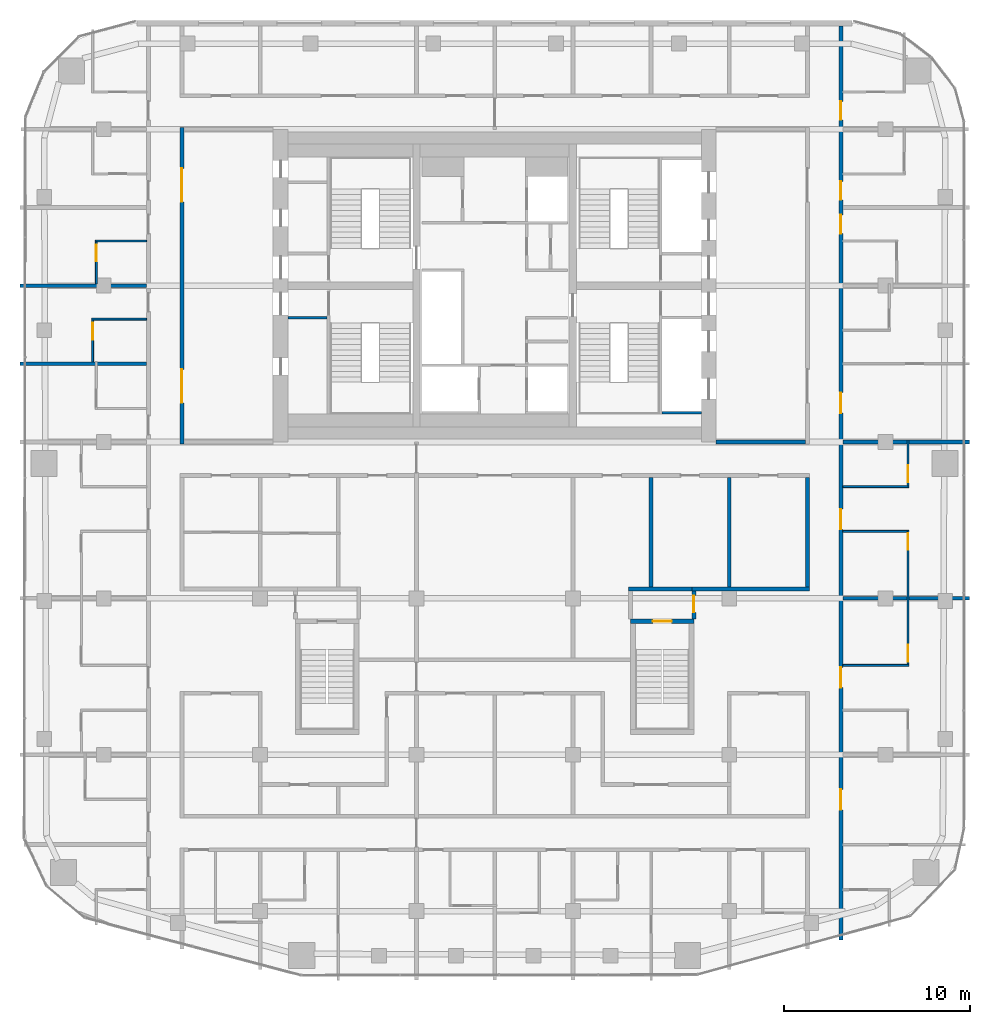
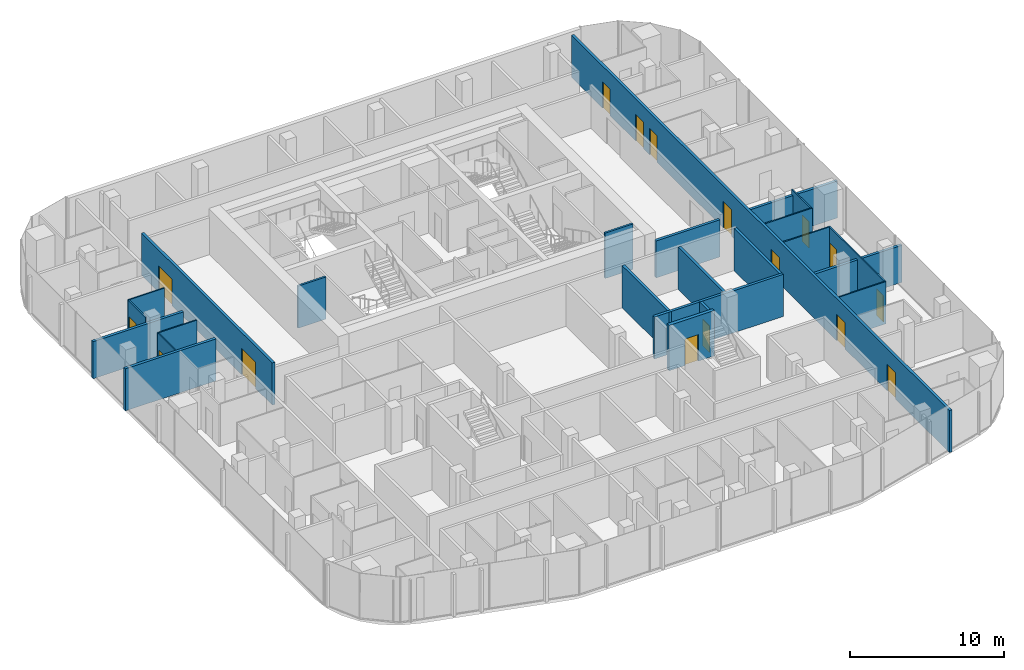
# One storey, part 17 of 22: 25 walls, 16 doors, 16 openings.
"""IFC4 building model written with IfcOpenShell, lengths in metres."""

from ifc_helpers import new_model, si_unit, direction, frame, frame_2d, origin, place, context, subcontext, project, spatial, rectangle, extrude, material, layer, layer_set, type_object, element, fill, save


model = new_model("IFC4")

# Units and contexts
model_context = context("Model", 3, precision=1e-05, world=origin(), true_north=direction((0.0, 1.0)))
body_context = subcontext(model_context, "Body", "Model", "MODEL_VIEW")
ifc_project = project(units=[si_unit("LENGTHUNIT", "METRE"), si_unit("AREAUNIT", "SQUARE_METRE"), si_unit("VOLUMEUNIT", "CUBIC_METRE"), si_unit("PLANEANGLEUNIT", "RADIAN"), si_unit("MASSUNIT", "GRAM", prefix="KILO")], contexts=[model_context])

# Site, building, storey
site_placement = place(None, origin())
site = spatial("IfcSite", under=ifc_project, at=site_placement, CompositionType="ELEMENT")
building_placement = place(site_placement, origin())
building = spatial("IfcBuilding", under=site, at=building_placement, Name="Marenta Gate Hotel Tower", CompositionType="ELEMENT")
storey_placement = place(building_placement, frame((0.0, 0.0, 230.89990234375)))
storey = spatial("IfcBuildingStorey", under=building, at=storey_placement, Name="L54", CompositionType="ELEMENT", Elevation=230.89990234375)

# Wall, openings, doors
ifc_material_1 = material(Name="Concrete blockwork", Category="masonry")
ifc_layer_1 = layer(ifc_material_1, 0.199951171875)
ifc_layer_set_1 = layer_set([ifc_layer_1], Name="Concrete blockwork")
wall_type_1 = type_object("IfcWallType", Name="Core boundary wall 200 REI 180", PredefinedType="PARTITIONING", material=ifc_layer_set_1)
wall_1_placement = place(storey_placement, frame((-16.800048828125, -0.10009765625, 0.0), z_axis=(0.0, 0.0, 1.0), x_axis=(0.0, 1.0, 0.0)))
wall_1 = element("IfcWall", 1, at=wall_1_placement, inside=storey, type_object=wall_type_1, Name="L54-CP-BW-W", PredefinedType="PARTITIONING", context=body_context, shape_type="SweptSolid", body=[
    extrude(rectangle(XDim=17.0, YDim=0.199951171875, at=frame_2d((8.5, 0.0))), origin(), (0.0, 0.0, 1.0), 3.340087890625),
])
opening_1_placement = place(wall_1_placement, frame((2.199951171875, 0.0, 0.0)))
opening_1 = element("IfcOpeningElement", 2, at=opening_1_placement, cuts=wall_1, Name="Opening ED-Wa-B", PredefinedType="OPENING", context=body_context, shape_type="SweptSolid", body=[
    extrude(rectangle(XDim=1.800048828125, YDim=2.10009765625, at=frame_2d((0.89990234375, 1.050048828125))), frame((0.0, 0.10009765625, 0.0), z_axis=(0.0, -1.0, 0.0), x_axis=(1.0, 0.0, 0.0)), (0.0, 0.0, 1.0), 0.199951171875),
])
opening_2_placement = place(wall_1_placement, frame((13.0, 0.0, 0.0)))
opening_2 = element("IfcOpeningElement", 3, at=opening_2_placement, cuts=wall_1, Name="Opening ED-Wb-B", PredefinedType="OPENING", context=body_context, shape_type="SweptSolid", body=[
    extrude(rectangle(XDim=1.800048828125, YDim=2.10009765625, at=frame_2d((0.89990234375, 1.050048828125))), frame((0.0, 0.10009765625, 0.0), z_axis=(0.0, -1.0, 0.0), x_axis=(1.0, 0.0, 0.0)), (0.0, 0.0, 1.0), 0.199951171875),
])
ifc_material_2 = material(Name="Steel", Category="steel")
door_type_1 = type_object("IfcDoorType", Name="Core lobby entrance door 1800x2100 EI 60", OperationType="DOUBLE_DOOR_SINGLE_SWING", PredefinedType="DOOR", material=ifc_material_2)
door_1_placement = place(opening_1_placement, origin())
door_1 = element("IfcDoor", 4, at=door_1_placement, inside=storey, type_object=door_type_1, Name="ED-Wa-B", OperationType="DOUBLE_DOOR_SINGLE_SWING", OverallHeight=2.10009765625, OverallWidth=1.800048828125, PredefinedType="DOOR", context=body_context, shape_type="SweptSolid", body=[
    extrude(rectangle(XDim=1.800048828125, YDim=2.10009765625, at=frame_2d((0.89990234375, 1.050048828125))), frame((0.0, 0.02490234375, 0.0), z_axis=(0.0, -1.0, 0.0), x_axis=(1.0, 0.0, 0.0)), (0.0, 0.0, 1.0), 0.050048828125),
])
fill(opening_1, door_1)
door_2_placement = place(opening_2_placement, origin())
door_2 = element("IfcDoor", 5, at=door_2_placement, inside=storey, type_object=door_type_1, Name="ED-Wb-B", OperationType="DOUBLE_DOOR_SINGLE_SWING", OverallHeight=2.10009765625, OverallWidth=1.800048828125, PredefinedType="DOOR", context=body_context, shape_type="SweptSolid", body=[
    extrude(rectangle(XDim=1.800048828125, YDim=2.10009765625, at=frame_2d((0.89990234375, 1.050048828125))), frame((0.0, 0.02490234375, 0.0), z_axis=(0.0, -1.0, 0.0), x_axis=(1.0, 0.0, 0.0)), (0.0, 0.0, 1.0), 0.050048828125),
])
fill(opening_2, door_2)

# Walls
wall_2_placement = place(storey_placement, frame((11.89990234375, 0.0, 0.0), z_axis=(0.0, 0.0, 1.0), x_axis=(1.0, 0.0, 0.0)))
element("IfcWall", 6, at=wall_2_placement, inside=storey, type_object=wall_type_1, Name="L54-CP-EW-ES", PredefinedType="PARTITIONING", context=body_context, shape_type="SweptSolid", body=[
    extrude(rectangle(XDim=4.800048828125, YDim=0.199951171875, at=frame_2d((2.39990234375, 0.0))), origin(), (0.0, 0.0, 1.0), 2.940185546875),
])
ifc_material_3 = material(Name="Concrete blockwork", Category="masonry")
ifc_layer_2 = layer(ifc_material_3, 0.14990234375)
ifc_layer_set_2 = layer_set([ifc_layer_2], Name="Concrete blockwork")
wall_type_2 = type_object("IfcWallType", Name="Core room partition 150 REI 180", PredefinedType="PARTITIONING", material=ifc_layer_set_2)
wall_3_placement = place(storey_placement, frame((-11.10009765625, 6.675048828125, 0.0), z_axis=(0.0, 0.0, 1.0), x_axis=(1.0, 0.0, 0.0)))
element("IfcWall", 7, at=wall_3_placement, inside=storey, type_object=wall_type_2, Name="L54-CP-SW-WS-2", PredefinedType="PARTITIONING", context=body_context, shape_type="SweptSolid", body=[
    extrude(rectangle(XDim=2.10009765625, YDim=0.14990234375, at=frame_2d((1.050048828125, 0.0))), origin(), (0.0, 0.0, 1.0), 3.340087890625),
])
ifc_material_4 = material(Name="Concrete C40", Category="concrete")
ifc_layer_3 = layer(ifc_material_4, 0.14990234375)
ifc_layer_set_3 = layer_set([ifc_layer_3], Name="Concrete C40")
wall_type_3 = type_object("IfcWallType", Name="Core shaft wall 150 REI 180", PredefinedType="SHEAR", material=ifc_layer_set_3)
wall_4_placement = place(storey_placement, frame((9.0, 1.574951171875, 0.0), z_axis=(0.0, 0.0, 1.0), x_axis=(1.0, 0.0, 0.0)))
element("IfcWall", 8, at=wall_4_placement, inside=storey, type_object=wall_type_3, Name="L54-SHF-SW-ES-5", PredefinedType="SHEAR", context=body_context, shape_type="SweptSolid", body=[
    extrude(rectangle(XDim=2.10009765625, YDim=0.14990234375, at=frame_2d((1.050048828125, 0.0))), origin(), (0.0, 0.0, 1.0), 3.60009765625),
])

# Wall, opening, door
ifc_material_5 = material(Name="Concrete C40", Category="concrete")
ifc_layer_4 = layer(ifc_material_5, 0.25)
ifc_layer_set_4 = layer_set([ifc_layer_4], Name="Concrete C40")
wall_type_4 = type_object("IfcWallType", Name="Remote stair enclosure wall 250 REI 180", PredefinedType="SHEAR", material=ifc_layer_set_4)
wall_5_placement = place(storey_placement, frame((7.300048828125, -9.625, 0.10009765625), z_axis=(0.0, 0.0, 1.0), x_axis=(1.0, 0.0, 0.0)))
wall_5 = element("IfcWall", 9, at=wall_5_placement, inside=storey, type_object=wall_type_4, Name="L54-RS-Z3-2-W2", PredefinedType="SHEAR", context=body_context, shape_type="SweptSolid", body=[
    extrude(rectangle(XDim=3.39990234375, YDim=0.25, at=frame_2d((1.699951171875, 0.0))), origin(), (0.0, 0.0, 1.0), 3.60009765625),
])
opening_3_placement = place(wall_5_placement, frame((1.199951171875, 0.0, 0.0)))
opening_3 = element("IfcOpeningElement", 10, at=opening_3_placement, cuts=wall_5, Name="Opening VD", PredefinedType="OPENING", context=body_context, shape_type="SweptSolid", body=[
    extrude(rectangle(XDim=1.0, YDim=2.10009765625, at=frame_2d((0.5, 1.050048828125))), frame((0.0, 0.125, 0.0), z_axis=(0.0, -1.0, 0.0), x_axis=(1.0, 0.0, 0.0)), (0.0, 0.0, 1.0), 0.25),
])
ifc_material_6 = material(Name="Steel", Category="steel")
door_type_2 = type_object("IfcDoorType", Name="Stair vestibule door 1000x2100 FD60", OperationType="SINGLE_SWING_LEFT", PredefinedType="DOOR", material=ifc_material_6)
door_3_placement = place(opening_3_placement, origin())
door_3 = element("IfcDoor", 11, at=door_3_placement, inside=storey, type_object=door_type_2, Name="VD", OperationType="SINGLE_SWING_LEFT", OverallHeight=2.10009765625, OverallWidth=1.0, PredefinedType="DOOR", context=body_context, shape_type="SweptSolid", body=[
    extrude(rectangle(XDim=1.0, YDim=2.10009765625, at=frame_2d((0.5, 1.050048828125))), frame((0.0, 0.02490234375, 0.0), z_axis=(0.0, -1.0, 0.0), x_axis=(1.0, 0.0, 0.0)), (0.0, 0.0, 1.0), 0.050048828125),
])
fill(opening_3, door_3)

# Wall, openings, doors
ifc_material_7 = material(Name="Gypsum board on steel stud", Category="steel")
ifc_layer_5 = layer(ifc_material_7, 0.199951171875)
ifc_layer_set_5 = layer_set([ifc_layer_5], Name="Gypsum board on steel stud")
wall_type_5 = type_object("IfcWallType", Name="Room corridor wall 200 EI 60", PredefinedType="PARTITIONING", material=ifc_layer_set_5)
wall_6_placement = place(storey_placement, frame((18.60009765625, -26.7509765625, 0.0), z_axis=(0.0, 0.0, 1.0), x_axis=(0.0, 1.0, 0.0)))
wall_6 = element("IfcWall", 12, at=wall_6_placement, inside=storey, type_object=wall_type_5, Name="L54-PTN-W023", PredefinedType="PARTITIONING", context=body_context, shape_type="SweptSolid", body=[
    extrude(rectangle(XDim=49.091064453125, YDim=0.199951171875, at=frame_2d((24.54541015625, 0.0))), origin(), (0.0, 0.0, 1.0), 3.340087890625),
])
opening_4_placement = place(wall_6_placement, frame((6.988037109375, 0.0, 0.0)))
opening_4 = element("IfcOpeningElement", 13, at=opening_4_placement, cuts=wall_6, Name="Opening G20-17", PredefinedType="OPENING", context=body_context, shape_type="SweptSolid", body=[
    extrude(rectangle(XDim=1.10009765625, YDim=2.10009765625, at=frame_2d((0.550048828125, 1.050048828125))), frame((0.0, 0.10009765625, 0.0), z_axis=(0.0, -1.0, 0.0), x_axis=(1.0, 0.0, 0.0)), (0.0, 0.0, 1.0), 0.199951171875),
])
opening_5_placement = place(wall_6_placement, frame((13.551025390625, 0.0, 0.0)))
opening_5 = element("IfcOpeningElement", 14, at=opening_5_placement, cuts=wall_6, Name="Opening G20-20", PredefinedType="OPENING", context=body_context, shape_type="SweptSolid", body=[
    extrude(rectangle(XDim=1.10009765625, YDim=2.10009765625, at=frame_2d((0.550048828125, 1.050048828125))), frame((0.0, 0.10009765625, 0.0), z_axis=(0.0, -1.0, 0.0), x_axis=(1.0, 0.0, 0.0)), (0.0, 0.0, 1.0), 0.199951171875),
])
opening_6_placement = place(wall_6_placement, frame((22.051025390625, 0.0, 0.0)))
opening_6 = element("IfcOpeningElement", 15, at=opening_6_placement, cuts=wall_6, Name="Opening G20-23", PredefinedType="OPENING", context=body_context, shape_type="SweptSolid", body=[
    extrude(rectangle(XDim=1.10009765625, YDim=2.10009765625, at=frame_2d((0.550048828125, 1.050048828125))), frame((0.0, 0.10009765625, 0.0), z_axis=(0.0, -1.0, 0.0), x_axis=(1.0, 0.0, 0.0)), (0.0, 0.0, 1.0), 0.199951171875),
])
opening_7_placement = place(wall_6_placement, frame((28.301025390625, 0.0, 0.0)))
opening_7 = element("IfcOpeningElement", 16, at=opening_7_placement, cuts=wall_6, Name="Opening G20-26", PredefinedType="OPENING", context=body_context, shape_type="SweptSolid", body=[
    extrude(rectangle(XDim=1.10009765625, YDim=2.10009765625, at=frame_2d((0.550048828125, 1.050048828125))), frame((0.0, 0.10009765625, 0.0), z_axis=(0.0, -1.0, 0.0), x_axis=(1.0, 0.0, 0.0)), (0.0, 0.0, 1.0), 0.199951171875),
])
opening_8_placement = place(wall_6_placement, frame((37.950927734375, 0.0, 0.0)))
opening_8 = element("IfcOpeningElement", 17, at=opening_8_placement, cuts=wall_6, Name="Opening G20-29", PredefinedType="OPENING", context=body_context, shape_type="SweptSolid", body=[
    extrude(rectangle(XDim=1.0, YDim=2.10009765625, at=frame_2d((0.5, 1.050048828125))), frame((0.0, 0.10009765625, 0.0), z_axis=(0.0, -1.0, 0.0), x_axis=(1.0, 0.0, 0.0)), (0.0, 0.0, 1.0), 0.199951171875),
])
opening_9_placement = place(wall_6_placement, frame((39.7509765625, 0.0, 0.0)))
opening_9 = element("IfcOpeningElement", 18, at=opening_9_placement, cuts=wall_6, Name="Opening G20-31", PredefinedType="OPENING", context=body_context, shape_type="SweptSolid", body=[
    extrude(rectangle(XDim=1.0, YDim=2.10009765625, at=frame_2d((0.5, 1.050048828125))), frame((0.0, 0.10009765625, 0.0), z_axis=(0.0, -1.0, 0.0), x_axis=(1.0, 0.0, 0.0)), (0.0, 0.0, 1.0), 0.199951171875),
])
opening_10_placement = place(wall_6_placement, frame((44.051025390625, 0.0, 0.0)))
opening_10 = element("IfcOpeningElement", 19, at=opening_10_placement, cuts=wall_6, Name="Opening G20-33", PredefinedType="OPENING", context=body_context, shape_type="SweptSolid", body=[
    extrude(rectangle(XDim=1.0, YDim=2.10009765625, at=frame_2d((0.5, 1.050048828125))), frame((0.0, 0.10009765625, 0.0), z_axis=(0.0, -1.0, 0.0), x_axis=(1.0, 0.0, 0.0)), (0.0, 0.0, 1.0), 0.199951171875),
])
ifc_material_8 = material(Name="Timber door leaf", Category="wood")
door_type_3 = type_object("IfcDoorType", Name="Guest room door 1000x2100 EI 30", OperationType="NOTDEFINED", PredefinedType="DOOR", material=ifc_material_8)
door_4_placement = place(opening_8_placement, origin())
door_4 = element("IfcDoor", 20, at=door_4_placement, inside=storey, type_object=door_type_3, Name="L54-PD-D029", OperationType="SINGLE_SWING_LEFT", OverallHeight=2.10009765625, OverallWidth=1.0, PredefinedType="DOOR", context=body_context, shape_type="SweptSolid", body=[
    extrude(rectangle(XDim=1.0, YDim=2.10009765625, at=frame_2d((0.5, 1.050048828125))), frame((0.0, 0.02490234375, 0.0), z_axis=(0.0, -1.0, 0.0), x_axis=(1.0, 0.0, 0.0)), (0.0, 0.0, 1.0), 0.050048828125),
])
fill(opening_8, door_4)
door_5_placement = place(opening_9_placement, origin())
door_5 = element("IfcDoor", 21, at=door_5_placement, inside=storey, type_object=door_type_3, Name="L54-PD-D031", OperationType="SINGLE_SWING_LEFT", OverallHeight=2.10009765625, OverallWidth=1.0, PredefinedType="DOOR", context=body_context, shape_type="SweptSolid", body=[
    extrude(rectangle(XDim=1.0, YDim=2.10009765625, at=frame_2d((0.5, 1.050048828125))), frame((0.0, 0.02490234375, 0.0), z_axis=(0.0, -1.0, 0.0), x_axis=(1.0, 0.0, 0.0)), (0.0, 0.0, 1.0), 0.050048828125),
])
fill(opening_9, door_5)
door_6_placement = place(opening_10_placement, origin())
door_6 = element("IfcDoor", 22, at=door_6_placement, inside=storey, type_object=door_type_3, Name="L54-PD-D033", OperationType="SINGLE_SWING_LEFT", OverallHeight=2.10009765625, OverallWidth=1.0, PredefinedType="DOOR", context=body_context, shape_type="SweptSolid", body=[
    extrude(rectangle(XDim=1.0, YDim=2.10009765625, at=frame_2d((0.5, 1.050048828125))), frame((0.0, 0.02490234375, 0.0), z_axis=(0.0, -1.0, 0.0), x_axis=(1.0, 0.0, 0.0)), (0.0, 0.0, 1.0), 0.050048828125),
])
fill(opening_10, door_6)
ifc_material_9 = material(Name="Timber door leaf", Category="wood")
door_type_4 = type_object("IfcDoorType", Name="Guest room door 1100x2100 EI 30", OperationType="NOTDEFINED", PredefinedType="DOOR", material=ifc_material_9)
door_7_placement = place(opening_4_placement, origin())
door_7 = element("IfcDoor", 23, at=door_7_placement, inside=storey, type_object=door_type_4, Name="L54-PD-D017", OperationType="SINGLE_SWING_LEFT", OverallHeight=2.10009765625, OverallWidth=1.10009765625, PredefinedType="DOOR", context=body_context, shape_type="SweptSolid", body=[
    extrude(rectangle(XDim=1.10009765625, YDim=2.10009765625, at=frame_2d((0.550048828125, 1.050048828125))), frame((0.0, 0.02490234375, 0.0), z_axis=(0.0, -1.0, 0.0), x_axis=(1.0, 0.0, 0.0)), (0.0, 0.0, 1.0), 0.050048828125),
])
fill(opening_4, door_7)
door_8_placement = place(opening_5_placement, origin())
door_8 = element("IfcDoor", 24, at=door_8_placement, inside=storey, type_object=door_type_4, Name="L54-PD-D020", OperationType="SINGLE_SWING_LEFT", OverallHeight=2.10009765625, OverallWidth=1.10009765625, PredefinedType="DOOR", context=body_context, shape_type="SweptSolid", body=[
    extrude(rectangle(XDim=1.10009765625, YDim=2.10009765625, at=frame_2d((0.550048828125, 1.050048828125))), frame((0.0, 0.02490234375, 0.0), z_axis=(0.0, -1.0, 0.0), x_axis=(1.0, 0.0, 0.0)), (0.0, 0.0, 1.0), 0.050048828125),
])
fill(opening_5, door_8)
door_9_placement = place(opening_6_placement, origin())
door_9 = element("IfcDoor", 25, at=door_9_placement, inside=storey, type_object=door_type_4, Name="L54-PD-D023", OperationType="SINGLE_SWING_RIGHT", OverallHeight=2.10009765625, OverallWidth=1.10009765625, PredefinedType="DOOR", context=body_context, shape_type="SweptSolid", body=[
    extrude(rectangle(XDim=1.10009765625, YDim=2.10009765625, at=frame_2d((0.550048828125, 1.050048828125))), frame((0.0, 0.02490234375, 0.0), z_axis=(0.0, -1.0, 0.0), x_axis=(1.0, 0.0, 0.0)), (0.0, 0.0, 1.0), 0.050048828125),
])
fill(opening_6, door_9)
door_10_placement = place(opening_7_placement, origin())
door_10 = element("IfcDoor", 26, at=door_10_placement, inside=storey, type_object=door_type_4, Name="L54-PD-D026", OperationType="SINGLE_SWING_RIGHT", OverallHeight=2.10009765625, OverallWidth=1.10009765625, PredefinedType="DOOR", context=body_context, shape_type="SweptSolid", body=[
    extrude(rectangle(XDim=1.10009765625, YDim=2.10009765625, at=frame_2d((0.550048828125, 1.050048828125))), frame((0.0, 0.02490234375, 0.0), z_axis=(0.0, -1.0, 0.0), x_axis=(1.0, 0.0, 0.0)), (0.0, 0.0, 1.0), 0.050048828125),
])
fill(opening_7, door_10)

# Walls
wall_7_placement = place(storey_placement, frame((16.800048828125, -7.800048828125, 0.0), z_axis=(0.0, 0.0, 1.0), x_axis=(0.0, 1.0, 0.0)))
element("IfcWall", 27, at=wall_7_placement, inside=storey, type_object=wall_type_5, Name="L54-PTN-W028", PredefinedType="PARTITIONING", context=body_context, shape_type="SweptSolid", body=[
    extrude(rectangle(XDim=5.900146484375, YDim=0.199951171875, at=frame_2d((2.9501953125, 0.0))), origin(), (0.0, 0.0, 1.0), 3.340087890625),
])
wall_8_placement = place(storey_placement, frame((10.60009765625, -7.89990234375, 0.0), z_axis=(0.0, 0.0, 1.0), x_axis=(1.0, 0.0, 0.0)))
element("IfcWall", 28, at=wall_8_placement, inside=storey, type_object=wall_type_5, Name="L54-PTN-W053", PredefinedType="PARTITIONING", context=body_context, shape_type="SweptSolid", body=[
    extrude(rectangle(XDim=6.2998046875, YDim=0.199951171875, at=frame_2d((3.14990234375, 0.0))), origin(), (0.0, 0.0, 1.0), 3.340087890625),
])

# Wall, opening, door
ifc_material_10 = material(Name="Concrete blockwork", Category="masonry")
ifc_layer_6 = layer(ifc_material_10, 0.199951171875)
ifc_layer_set_6 = layer_set([ifc_layer_6], Name="Concrete blockwork")
wall_type_6 = type_object("IfcWallType", Name="Room corridor wall 200 REI 180", PredefinedType="PARTITIONING", material=ifc_layer_set_6)
wall_9_placement = place(storey_placement, frame((10.699951171875, -9.5, 0.0), z_axis=(0.0, 0.0, 1.0), x_axis=(0.0, 1.0, 0.0)))
wall_9 = element("IfcWall", 29, at=wall_9_placement, inside=storey, type_object=wall_type_6, Name="L54-PTN-W046", PredefinedType="PARTITIONING", context=body_context, shape_type="SweptSolid", body=[
    extrude(rectangle(XDim=1.5, YDim=0.199951171875, at=frame_2d((0.75, 0.0))), origin(), (0.0, 0.0, 1.0), 3.340087890625),
])
opening_11_placement = place(wall_9_placement, frame((0.35009765625, 0.0, 0.0)))
opening_11 = element("IfcOpeningElement", 30, at=opening_11_placement, cuts=wall_9, Name="Opening G20-73", PredefinedType="OPENING", context=body_context, shape_type="SweptSolid", body=[
    extrude(rectangle(XDim=0.89990234375, YDim=2.10009765625, at=frame_2d((0.449951171875, 1.050048828125))), frame((0.0, 0.10009765625, 0.0), z_axis=(0.0, -1.0, 0.0), x_axis=(1.0, 0.0, 0.0)), (0.0, 0.0, 1.0), 0.199951171875),
])
ifc_material_11 = material(Name="Hollow steel door set", Category="steel")
door_type_5 = type_object("IfcDoorType", Name="Stair vestibule door 900x2100 EI 60", OperationType="NOTDEFINED", PredefinedType="DOOR", material=ifc_material_11)
door_11_placement = place(opening_11_placement, origin())
door_11 = element("IfcDoor", 31, at=door_11_placement, inside=storey, type_object=door_type_5, Name="L54-PD-D073", OperationType="SINGLE_SWING_RIGHT", OverallHeight=2.10009765625, OverallWidth=0.89990234375, PredefinedType="DOOR", context=body_context, shape_type="SweptSolid", body=[
    extrude(rectangle(XDim=0.89990234375, YDim=2.10009765625, at=frame_2d((0.449951171875, 1.050048828125))), frame((0.0, 0.02490234375, 0.0), z_axis=(0.0, -1.0, 0.0), x_axis=(1.0, 0.0, 0.0)), (0.0, 0.0, 1.0), 0.050048828125),
])
fill(opening_11, door_11)

# Wall, openings, doors
ifc_material_12 = material(Name="Gypsum board on steel stud", Category="steel")
ifc_layer_7 = layer(ifc_material_12, 0.10009765625)
ifc_layer_set_7 = layer_set([ifc_layer_7], Name="Gypsum board on steel stud")
wall_type_7 = type_object("IfcWallType", Name="Room partition 100", PredefinedType="PARTITIONING", material=ifc_layer_set_7)
wall_10_placement = place(storey_placement, frame((22.199951171875, -11.949951171875, 0.0), z_axis=(0.0, 0.0, 1.0), x_axis=(0.0, 1.0, 0.0)))
wall_10 = element("IfcWall", 32, at=wall_10_placement, inside=storey, type_object=wall_type_7, Name="L54-PTN-W011", PredefinedType="PARTITIONING", context=body_context, shape_type="SweptSolid", body=[
    extrude(rectangle(XDim=7.199951171875, YDim=0.10009765625, at=frame_2d((3.60009765625, 0.0))), origin(), (0.0, 0.0, 1.0), 3.340087890625),
])
opening_12_placement = place(wall_10_placement, frame((0.14990234375, 0.0, 0.0)))
opening_12 = element("IfcOpeningElement", 33, at=opening_12_placement, cuts=wall_10, Name="Opening G20-21", PredefinedType="OPENING", context=body_context, shape_type="SweptSolid", body=[
    extrude(rectangle(XDim=0.89990234375, YDim=2.10009765625, at=frame_2d((0.449951171875, 1.050048828125))), frame((0.0, 0.050048828125, 0.0), z_axis=(0.0, -1.0, 0.0), x_axis=(1.0, 0.0, 0.0)), (0.0, 0.0, 1.0), 0.10009765625),
])
opening_13_placement = place(wall_10_placement, frame((6.14990234375, 0.0, 0.0)))
opening_13 = element("IfcOpeningElement", 34, at=opening_13_placement, cuts=wall_10, Name="Opening G20-24", PredefinedType="OPENING", context=body_context, shape_type="SweptSolid", body=[
    extrude(rectangle(XDim=0.89990234375, YDim=2.10009765625, at=frame_2d((0.449951171875, 1.050048828125))), frame((0.0, 0.050048828125, 0.0), z_axis=(0.0, -1.0, 0.0), x_axis=(1.0, 0.0, 0.0)), (0.0, 0.0, 1.0), 0.10009765625),
])
ifc_material_13 = material(Name="Timber door leaf", Category="wood")
door_type_6 = type_object("IfcDoorType", Name="Guest bathroom door 900x2100", OperationType="NOTDEFINED", PredefinedType="DOOR", material=ifc_material_13)
door_12_placement = place(opening_12_placement, origin())
door_12 = element("IfcDoor", 35, at=door_12_placement, inside=storey, type_object=door_type_6, Name="L54-PD-D021", OperationType="SINGLE_SWING_LEFT", OverallHeight=2.10009765625, OverallWidth=0.89990234375, PredefinedType="DOOR", context=body_context, shape_type="SweptSolid", body=[
    extrude(rectangle(XDim=0.89990234375, YDim=2.10009765625, at=frame_2d((0.449951171875, 1.050048828125))), frame((0.0, 0.02490234375, 0.0), z_axis=(0.0, -1.0, 0.0), x_axis=(1.0, 0.0, 0.0)), (0.0, 0.0, 1.0), 0.050048828125),
])
fill(opening_12, door_12)
door_13_placement = place(opening_13_placement, origin())
door_13 = element("IfcDoor", 36, at=door_13_placement, inside=storey, type_object=door_type_6, Name="L54-PD-D024", OperationType="SINGLE_SWING_RIGHT", OverallHeight=2.10009765625, OverallWidth=0.89990234375, PredefinedType="DOOR", context=body_context, shape_type="SweptSolid", body=[
    extrude(rectangle(XDim=0.89990234375, YDim=2.10009765625, at=frame_2d((0.449951171875, 1.050048828125))), frame((0.0, 0.02490234375, 0.0), z_axis=(0.0, -1.0, 0.0), x_axis=(1.0, 0.0, 0.0)), (0.0, 0.0, 1.0), 0.050048828125),
])
fill(opening_13, door_13)

# Wall, opening, door
wall_11_placement = place(storey_placement, frame((22.199951171875, -2.35009765625, 0.0), z_axis=(0.0, 0.0, 1.0), x_axis=(0.0, 1.0, 0.0)))
wall_11 = element("IfcWall", 37, at=wall_11_placement, inside=storey, type_object=wall_type_7, Name="L54-PTN-W012", PredefinedType="PARTITIONING", context=body_context, shape_type="SweptSolid", body=[
    extrude(rectangle(XDim=2.4501953125, YDim=0.10009765625, at=frame_2d((1.22509765625, 0.0))), origin(), (0.0, 0.0, 1.0), 3.340087890625),
])
opening_14_placement = place(wall_11_placement, frame((0.199951171875, 0.0, 0.0)))
opening_14 = element("IfcOpeningElement", 38, at=opening_14_placement, cuts=wall_11, Name="Opening G20-25", PredefinedType="OPENING", context=body_context, shape_type="SweptSolid", body=[
    extrude(rectangle(XDim=0.89990234375, YDim=2.10009765625, at=frame_2d((0.449951171875, 1.050048828125))), frame((0.0, 0.050048828125, 0.0), z_axis=(0.0, -1.0, 0.0), x_axis=(1.0, 0.0, 0.0)), (0.0, 0.0, 1.0), 0.10009765625),
])
ifc_material_14 = material(Name="Timber door leaf", Category="wood")
door_type_7 = type_object("IfcDoorType", Name="Room inner door 900x2100", OperationType="NOTDEFINED", PredefinedType="DOOR", material=ifc_material_14)
door_14_placement = place(opening_14_placement, origin())
door_14 = element("IfcDoor", 39, at=door_14_placement, inside=storey, type_object=door_type_7, Name="L54-PD-D025", OperationType="SINGLE_SWING_LEFT", OverallHeight=2.10009765625, OverallWidth=0.89990234375, PredefinedType="DOOR", context=body_context, shape_type="SweptSolid", body=[
    extrude(rectangle(XDim=0.89990234375, YDim=2.10009765625, at=frame_2d((0.449951171875, 1.050048828125))), frame((0.0, 0.02490234375, 0.0), z_axis=(0.0, -1.0, 0.0), x_axis=(1.0, 0.0, 0.0)), (0.0, 0.0, 1.0), 0.050048828125),
])
fill(opening_14, door_14)

# Walls
wall_12_placement = place(storey_placement, frame((18.699951171875, -12.0, 0.0), z_axis=(0.0, 0.0, 1.0), x_axis=(1.0, 0.0, 0.0)))
element("IfcWall", 40, at=wall_12_placement, inside=storey, type_object=wall_type_7, Name="L54-PTN-W044", PredefinedType="PARTITIONING", context=body_context, shape_type="SweptSolid", body=[
    extrude(rectangle(XDim=3.550048828125, YDim=0.10009765625, at=frame_2d((1.77490234375, 0.0))), origin(), (0.0, 0.0, 1.0), 3.340087890625),
])
wall_13_placement = place(storey_placement, frame((18.699951171875, -4.800048828125, 0.0), z_axis=(0.0, 0.0, 1.0), x_axis=(1.0, 0.0, 0.0)))
element("IfcWall", 41, at=wall_13_placement, inside=storey, type_object=wall_type_7, Name="L54-PTN-W062", PredefinedType="PARTITIONING", context=body_context, shape_type="SweptSolid", body=[
    extrude(rectangle(XDim=3.449951171875, YDim=0.10009765625, at=frame_2d((1.72509765625, 0.0))), origin(), (0.0, 0.0, 1.0), 3.340087890625),
])
wall_14_placement = place(storey_placement, frame((18.699951171875, -2.39990234375, 0.0), z_axis=(0.0, 0.0, 1.0), x_axis=(1.0, 0.0, 0.0)))
element("IfcWall", 42, at=wall_14_placement, inside=storey, type_object=wall_type_7, Name="L54-PTN-W069", PredefinedType="PARTITIONING", context=body_context, shape_type="SweptSolid", body=[
    extrude(rectangle(XDim=3.550048828125, YDim=0.10009765625, at=frame_2d((1.77490234375, 0.0))), origin(), (0.0, 0.0, 1.0), 3.340087890625),
])
wall_15_placement = place(storey_placement, frame((-21.64990234375, 6.60009765625, 0.0), z_axis=(0.0, 0.0, 1.0), x_axis=(1.0, 0.0, 0.0)))
element("IfcWall", 43, at=wall_15_placement, inside=storey, type_object=wall_type_7, Name="L54-PTN-W086", PredefinedType="PARTITIONING", context=body_context, shape_type="SweptSolid", body=[
    extrude(rectangle(XDim=2.949951171875, YDim=0.10009765625, at=frame_2d((1.47509765625, 0.0))), origin(), (0.0, 0.0, 1.0), 3.340087890625),
])
wall_16_placement = place(storey_placement, frame((-21.449951171875, 10.800048828125, 0.0), z_axis=(0.0, 0.0, 1.0), x_axis=(1.0, 0.0, 0.0)))
element("IfcWall", 44, at=wall_16_placement, inside=storey, type_object=wall_type_7, Name="L54-PTN-W095", PredefinedType="PARTITIONING", context=body_context, shape_type="SweptSolid", body=[
    extrude(rectangle(XDim=2.75, YDim=0.10009765625, at=frame_2d((1.375, 0.0))), origin(), (0.0, 0.0, 1.0), 3.340087890625),
])

# Wall, opening, door
wall_17_placement = place(storey_placement, frame((-21.39990234375, 8.5, 0.0), z_axis=(0.0, 0.0, 1.0), x_axis=(0.0, 1.0, 0.0)))
wall_17 = element("IfcWall", 45, at=wall_17_placement, inside=storey, type_object=wall_type_7, Name="L54-PTN-W119", PredefinedType="PARTITIONING", context=body_context, shape_type="SweptSolid", body=[
    extrude(rectangle(XDim=2.25, YDim=0.10009765625, at=frame_2d((1.125, 0.0))), origin(), (0.0, 0.0, 1.0), 3.340087890625),
])
opening_15_placement = place(wall_17_placement, frame((1.199951171875, 0.0, 0.0)))
opening_15 = element("IfcOpeningElement", 46, at=opening_15_placement, cuts=wall_17, Name="Opening G20-67", PredefinedType="OPENING", context=body_context, shape_type="SweptSolid", body=[
    extrude(rectangle(XDim=0.89990234375, YDim=2.10009765625, at=frame_2d((0.449951171875, 1.050048828125))), frame((0.0, 0.050048828125, 0.0), z_axis=(0.0, -1.0, 0.0), x_axis=(1.0, 0.0, 0.0)), (0.0, 0.0, 1.0), 0.10009765625),
])
door_15_placement = place(opening_15_placement, origin())
door_15 = element("IfcDoor", 47, at=door_15_placement, inside=storey, type_object=door_type_6, Name="L54-PD-D067", OperationType="SINGLE_SWING_LEFT", OverallHeight=2.10009765625, OverallWidth=0.89990234375, PredefinedType="DOOR", context=body_context, shape_type="SweptSolid", body=[
    extrude(rectangle(XDim=0.89990234375, YDim=2.10009765625, at=frame_2d((0.449951171875, 1.050048828125))), frame((0.0, 0.02490234375, 0.0), z_axis=(0.0, -1.0, 0.0), x_axis=(1.0, 0.0, 0.0)), (0.0, 0.0, 1.0), 0.050048828125),
])
fill(opening_15, door_15)

wall_18_placement = place(storey_placement, frame((-21.60009765625, 4.300048828125, 0.0), z_axis=(0.0, 0.0, 1.0), x_axis=(0.0, 1.0, 0.0)))
wall_18 = element("IfcWall", 48, at=wall_18_placement, inside=storey, type_object=wall_type_7, Name="L54-PTN-W120", PredefinedType="PARTITIONING", context=body_context, shape_type="SweptSolid", body=[
    extrude(rectangle(XDim=2.25, YDim=0.10009765625, at=frame_2d((1.125, 0.0))), origin(), (0.0, 0.0, 1.0), 3.340087890625),
])
opening_16_placement = place(wall_18_placement, frame((1.199951171875, 0.0, 0.0)))
opening_16 = element("IfcOpeningElement", 49, at=opening_16_placement, cuts=wall_18, Name="Opening G20-65", PredefinedType="OPENING", context=body_context, shape_type="SweptSolid", body=[
    extrude(rectangle(XDim=0.89990234375, YDim=2.10009765625, at=frame_2d((0.449951171875, 1.050048828125))), frame((0.0, 0.050048828125, 0.0), z_axis=(0.0, -1.0, 0.0), x_axis=(1.0, 0.0, 0.0)), (0.0, 0.0, 1.0), 0.10009765625),
])
door_16_placement = place(opening_16_placement, origin())
door_16 = element("IfcDoor", 50, at=door_16_placement, inside=storey, type_object=door_type_6, Name="L54-PD-D065", OperationType="SINGLE_SWING_LEFT", OverallHeight=2.10009765625, OverallWidth=0.89990234375, PredefinedType="DOOR", context=body_context, shape_type="SweptSolid", body=[
    extrude(rectangle(XDim=0.89990234375, YDim=2.10009765625, at=frame_2d((0.449951171875, 1.050048828125))), frame((0.0, 0.02490234375, 0.0), z_axis=(0.0, -1.0, 0.0), x_axis=(1.0, 0.0, 0.0)), (0.0, 0.0, 1.0), 0.050048828125),
])
fill(opening_16, door_16)

# Walls
ifc_material_15 = material(Name="Gypsum board on steel stud", Category="steel")
ifc_layer_8 = layer(ifc_material_15, 0.199951171875)
ifc_layer_set_8 = layer_set([ifc_layer_8], Name="Gypsum board on steel stud")
wall_type_8 = type_object("IfcWallType", Name="Room party wall 200 EI 60", PredefinedType="PARTITIONING", material=ifc_layer_set_8)
wall_19_placement = place(storey_placement, frame((12.60009765625, -7.800048828125, 0.0), z_axis=(0.0, 0.0, 1.0), x_axis=(0.0, 1.0, 0.0)))
element("IfcWall", 51, at=wall_19_placement, inside=storey, type_object=wall_type_8, Name="L54-PTN-W040", PredefinedType="PARTITIONING", context=body_context, shape_type="SweptSolid", body=[
    extrude(rectangle(XDim=5.900146484375, YDim=0.199951171875, at=frame_2d((2.9501953125, 0.0))), origin(), (0.0, 0.0, 1.0), 3.340087890625),
])
wall_20_placement = place(storey_placement, frame((8.39990234375, -8.0, 0.0), z_axis=(0.0, 0.0, 1.0), x_axis=(0.0, 1.0, 0.0)))
element("IfcWall", 52, at=wall_20_placement, inside=storey, type_object=wall_type_8, Name="L54-PTN-W048", PredefinedType="PARTITIONING", context=body_context, shape_type="SweptSolid", body=[
    extrude(rectangle(XDim=6.10009765625, YDim=0.199951171875, at=frame_2d((3.050048828125, 0.0))), origin(), (0.0, 0.0, 1.0), 3.340087890625),
])
for number, where, z_axis, x_axis, name in (
    (53, (18.699951171875, -8.39990234375, 0.0), (0.0, 0.0, 1.0), (1.0, 0.0, 0.0), "L54-PTN-W051"),
    (54, (18.699951171875, 0.0, 0.0), (0.0, 0.0, 1.0), (1.0, 0.0, 0.0), "L54-PTN-W075"),
):
    element("IfcWall", number, at=place(storey_placement, frame(where, z_axis=z_axis, x_axis=x_axis)), inside=storey, type_object=wall_type_8, Name=name, PredefinedType="PARTITIONING", context=body_context, shape_type="SweptSolid", body=[
        extrude(rectangle(XDim=6.800048828125, YDim=0.199951171875, at=frame_2d((3.39990234375, 0.0))), origin(), (0.0, 0.0, 1.0), 2.940185546875),
    ])
wall_21_placement = place(storey_placement, frame((-25.5, 4.199951171875, 0.0), z_axis=(0.0, 0.0, 1.0), x_axis=(1.0, 0.0, 0.0)))
element("IfcWall", 55, at=wall_21_placement, inside=storey, type_object=wall_type_8, Name="L54-PTN-W082", PredefinedType="PARTITIONING", context=body_context, shape_type="SweptSolid", body=[
    extrude(rectangle(XDim=6.800048828125, YDim=0.199951171875, at=frame_2d((3.39990234375, 0.0))), origin(), (0.0, 0.0, 1.0), 3.340087890625),
])
wall_22_placement = place(storey_placement, frame((-25.5, 8.39990234375, 0.0), z_axis=(0.0, 0.0, 1.0), x_axis=(1.0, 0.0, 0.0)))
element("IfcWall", 56, at=wall_22_placement, inside=storey, type_object=wall_type_8, Name="L54-PTN-W091", PredefinedType="PARTITIONING", context=body_context, shape_type="SweptSolid", body=[
    extrude(rectangle(XDim=6.800048828125, YDim=0.199951171875, at=frame_2d((3.39990234375, 0.0))), origin(), (0.0, 0.0, 1.0), 2.940185546875),
])
ifc_material_16 = material(Name="Concrete blockwork", Category="masonry")
ifc_layer_9 = layer(ifc_material_16, 0.199951171875)
ifc_layer_set_9 = layer_set([ifc_layer_9], Name="Concrete blockwork")
wall_type_9 = type_object("IfcWallType", Name="Room party wall 200 REI 180", PredefinedType="PARTITIONING", material=ifc_layer_set_9)
wall_23_placement = place(storey_placement, frame((7.199951171875, -7.89990234375, 0.0), z_axis=(0.0, 0.0, 1.0), x_axis=(1.0, 0.0, 0.0)))
element("IfcWall", 57, at=wall_23_placement, inside=storey, type_object=wall_type_9, Name="L54-PTN-W055", PredefinedType="PARTITIONING", context=body_context, shape_type="SweptSolid", body=[
    extrude(rectangle(XDim=3.400146484375, YDim=0.199951171875, at=frame_2d((1.7001953125, 0.0))), origin(), (0.0, 0.0, 1.0), 3.340087890625),
])

save(model, "model.ifc")
